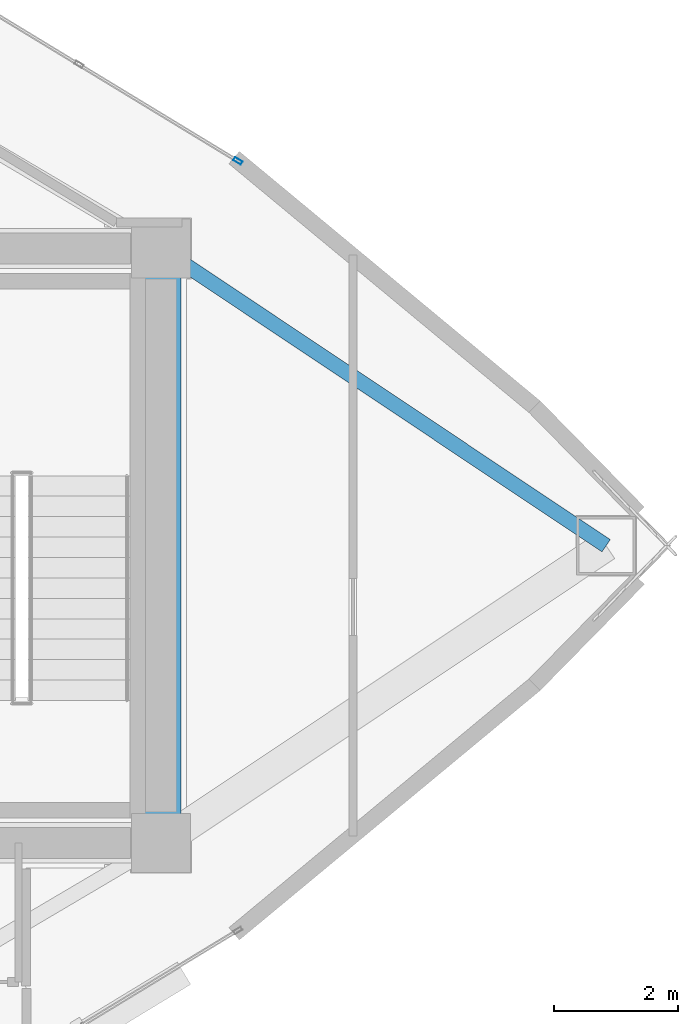
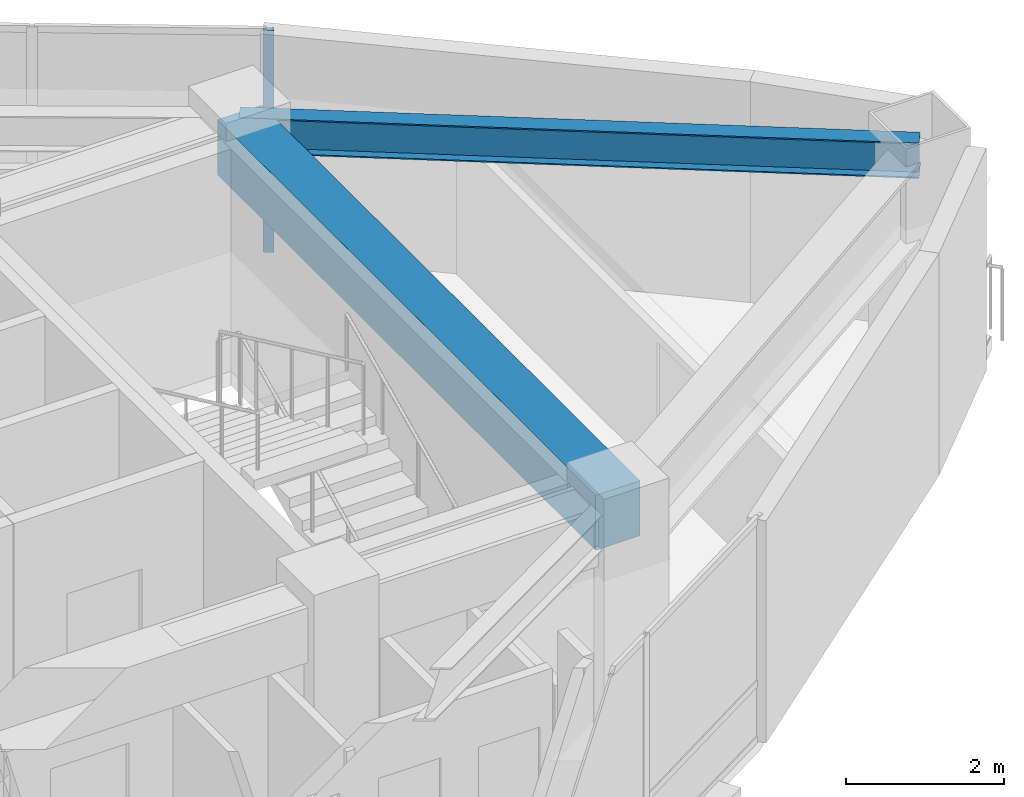
# One storey, part 9 of 14: 2 beams, 1 member, 1 element without a shape of its own.
"""IFC4 building model written with IfcOpenShell, lengths in metres."""

from ifc_helpers import new_model, si_unit, direction, frame, origin, origin_2d, place, context, subcontext, project, spatial, rectangle, hollow_rectangle, i_section, extrude, material, layer, layer_set, material_profile, profile_set, type_object, element, aggregate, save


model = new_model("IFC4")

# Units and contexts
model_context = context("Model", 3, precision=1e-05, world=origin(), true_north=direction((0.0, 1.0)))
body_context = subcontext(model_context, "Body", "Model", "MODEL_VIEW")
ifc_project = project(units=[si_unit("LENGTHUNIT", "METRE"), si_unit("AREAUNIT", "SQUARE_METRE"), si_unit("VOLUMEUNIT", "CUBIC_METRE"), si_unit("PLANEANGLEUNIT", "RADIAN"), si_unit("MASSUNIT", "GRAM", prefix="KILO")], contexts=[model_context])

# Site, building, storey
site_placement = place(None, origin())
site = spatial("IfcSite", under=ifc_project, at=site_placement, CompositionType="ELEMENT")
building_placement = place(site_placement, origin())
building = spatial("IfcBuilding", under=site, at=building_placement, Name="Menara Vayukalpa", CompositionType="ELEMENT")
storey_placement = place(building_placement, frame((0.0, 0.0, 191.52001953125)))
storey = spatial("IfcBuildingStorey", under=building, at=storey_placement, Name="L48", CompositionType="ELEMENT", Elevation=191.52001953125)

# Beams
ifc_material_1 = material(Name="Concrete C60/75", Category="concrete")
ifc_material_profile_1 = material_profile(ifc_material_1, rectangle(XDim=0.64990234375, YDim=0.85009765625, at=origin_2d()), Name="RC 650x850")
ifc_profile_set_1 = profile_set([ifc_material_profile_1], Name="Concrete C60/75")
beam_type_1 = type_object("IfcBeamType", Name="BM-CB1", PredefinedType="BEAM", material=ifc_profile_set_1)
beam_1_placement = place(storey_placement, frame((33.39990234375, 17.199951171875, 3.014892578125), z_axis=(0.0, 1.0, 0.0), x_axis=(-1.0, 0.0, 0.0)))
element("IfcBeam", 1, at=beam_1_placement, inside=storey, type_object=beam_type_1, Name="L48 Core Tie Beam CBR8", PredefinedType="BEAM", context=body_context, shape_type="SweptSolid", body=[
    extrude(rectangle(XDim=0.64990234375, YDim=0.85009765625, at=origin_2d()), origin(), (0.0, 0.0, 1.0), 9.60009765625),
])
ifc_material_2 = material(Name="Steel S355", Category="steel")
ifc_material_profile_2 = material_profile(ifc_material_2, i_section(OverallWidth=0.239990234375, OverallDepth=0.550048828125, WebThickness=0.010986328125, FlangeThickness=0.01904296875, at=origin_2d()), Name="WF 550x240x11x19")
ifc_profile_set_2 = profile_set([ifc_material_profile_2], Name="Steel S355")
beam_type_2 = type_object("IfcBeamType", Name="BM-SP2", PredefinedType="SPANDREL", material=ifc_profile_set_2)
beam_2_placement = place(storey_placement, frame((40.590576171875, 22.0, 3.1650390625), z_axis=(-0.831715622571, 0.555201876052, 0.0), x_axis=(-0.555201876052, -0.831715622571, 0.0)))
element("IfcBeam", 2, at=beam_2_placement, inside=storey, type_object=beam_type_2, Name="L48 Perimeter Spandrel Beam SP01", PredefinedType="SPANDREL", context=body_context, shape_type="SweptSolid", body=[
    extrude(i_section(OverallWidth=0.239990234375, OverallDepth=0.550048828125, WebThickness=0.010986328125, FlangeThickness=0.01904296875, at=origin_2d()), origin(), (0.0, 0.0, 1.0), 8.6455078125),
])

# Curtain wall, member
ifc_material_3 = material(Name="Anodised Terracotta Aluminium Alloy 6063-T6", Category="masonry")
ifc_layer = layer(ifc_material_3, 0.139892578125)
ifc_layer_set = layer_set([ifc_layer], Name="Anodised Terracotta Aluminium Alloy 6063-T6")
curtain_wall_type = type_object("IfcCurtainWallType", Name="CW-CW5", PredefinedType="USERDEFINED", material=ifc_layer_set)
curtain_wall_placement = place(storey_placement, origin())
curtain_wall = element("IfcCurtainWall", 3, at=curtain_wall_placement, inside=storey, type_object=curtain_wall_type, Name="L48 High Rise Tapered Curtain Wall CW5 04", ObjectType="UNITISED", PredefinedType="USERDEFINED")
ifc_material_4 = material(Name="Anodised Terracotta Aluminium Alloy 6063-T6", Category="masonry")
ifc_material_profile_3 = material_profile(ifc_material_4, hollow_rectangle(XDim=0.06005859375, YDim=0.139892578125, WallThickness=0.00341796875, at=origin_2d()), Name="ALU 60x140x3.5")
ifc_profile_set_3 = profile_set([ifc_material_profile_3], Name="Anodised Terracotta Aluminium Alloy 6063-T6")
member_type = type_object("IfcMemberType", Name="CWM-CW5", PredefinedType="MULLION", material=ifc_profile_set_3)
member_placement = place(storey_placement, frame((34.6416015625, 28.21484375, 0.0), z_axis=(0.0, 0.0, 1.0), x_axis=(-0.519179911779, -0.854664974832, 0.0)))
member = element("IfcMember", 4, at=member_placement, type_object=member_type, Name="CW5 mullion 1", PredefinedType="MULLION", context=body_context, shape_type="SweptSolid", body=[
    extrude(hollow_rectangle(XDim=0.06005859375, YDim=0.139892578125, WallThickness=0.00341796875, at=origin_2d()), origin(), (0.0, 0.0, 1.0), 3.43994140625),
])
aggregate(curtain_wall, [member])

save(model, "model.ifc")
